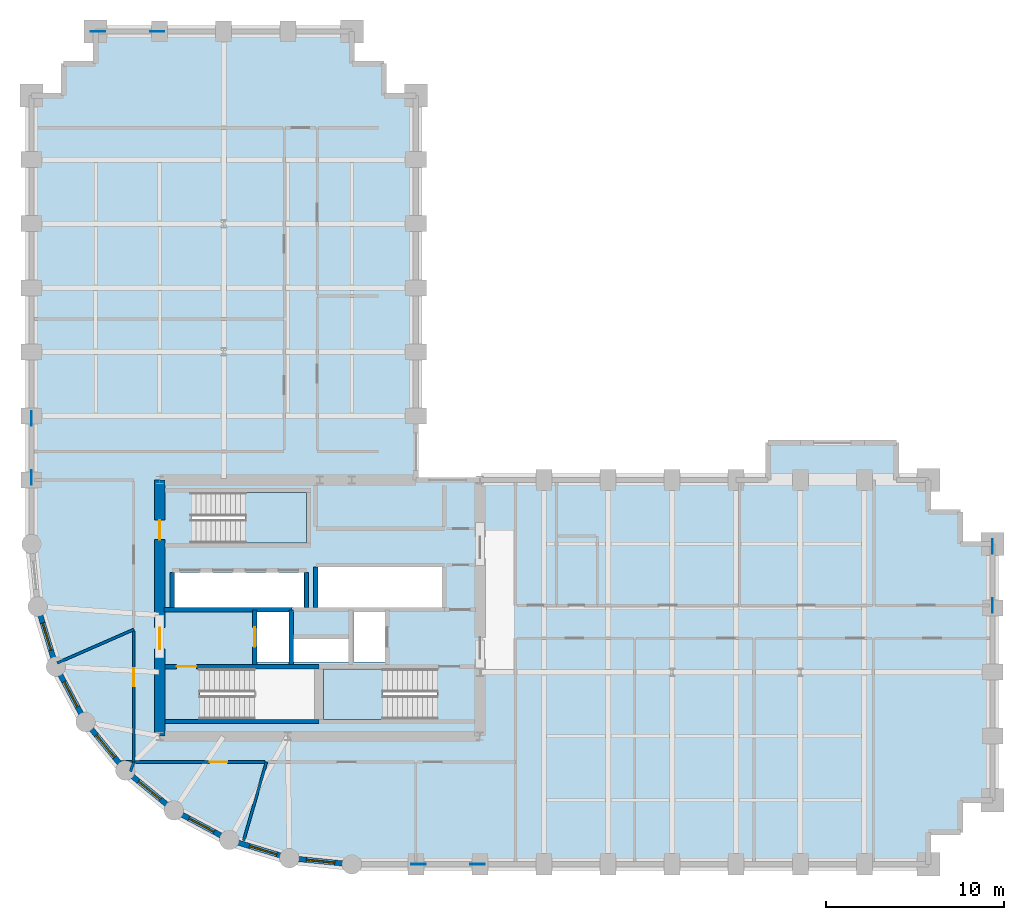
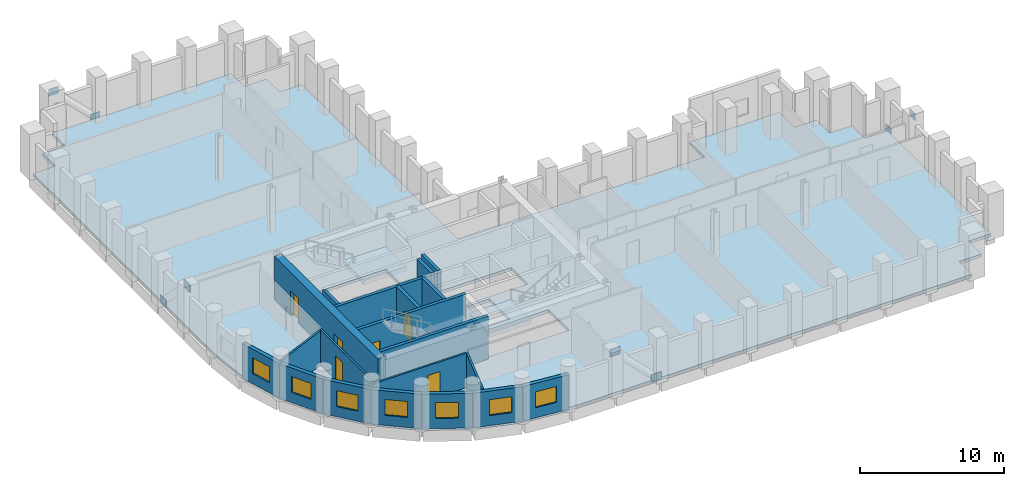
# One storey, part 3 of 8: 21 walls, 8 plates, 7 windows, 6 doors, 3 slabs, 13 openings, 2 elements without a shape of their own.
"""IFC4 building model written with IfcOpenShell, lengths in metres."""

from ifc_helpers import new_model, si_unit, direction, frame, frame_2d, origin, origin_2d, place, context, subcontext, project, spatial, polyline, rectangle, outline, extrude, material, layer, layer_set, type_object, element, fill, aggregate, save


model = new_model("IFC4")

# Units and contexts
model_context = context("Model", 3, precision=1e-05, world=origin(), true_north=direction((0.0, 1.0)))
body_context = subcontext(model_context, "Body", "Model", "MODEL_VIEW")
ifc_project = project(units=[si_unit("LENGTHUNIT", "METRE"), si_unit("AREAUNIT", "SQUARE_METRE"), si_unit("VOLUMEUNIT", "CUBIC_METRE"), si_unit("PLANEANGLEUNIT", "RADIAN"), si_unit("MASSUNIT", "GRAM", prefix="KILO")], contexts=[model_context])

# Site, building, storey
site_placement = place(None, origin())
site = spatial("IfcSite", under=ifc_project, at=site_placement, CompositionType="ELEMENT")
building_placement = place(site_placement, origin())
building = spatial("IfcBuilding", under=site, at=building_placement, Name="Solnavia Interchange Tower", CompositionType="ELEMENT")
storey_placement = place(building_placement, frame((0.0, 0.0, 35.699951171875)))
storey = spatial("IfcBuildingStorey", under=building, at=storey_placement, Name="L08", CompositionType="ELEMENT", Elevation=35.699951171875)

# Plates
ifc_material_1 = material(Name="Steel S460", Category="steel")
ifc_layer_1 = layer(ifc_material_1, 0.035888671875)
ifc_layer_set_1 = layer_set([ifc_layer_1], Name="Steel S460")
plate_type = type_object("IfcPlateType", Name="Plate-Gusset-800x600x36", PredefinedType="USERDEFINED", material=ifc_layer_set_1)
for number, where, z_axis, x_axis, name in (
    (1, (32.260009765625, 3.60009765625, -0.1201171875), (0.0, 0.0, 1.0), (-1.0, 0.0, 0.0), "PLT-L08-GP01 Perimeter brace gusset plate"),
    (2, (28.93994140625, 3.60009765625, 3.169921875), (0.0, 0.0, 1.0), (-1.0, 0.0, 0.0), "PLT-L08-GP02 Perimeter brace gusset plate"),
    (3, (7.199951171875, 28.659912109375, -0.1201171875), (0.0, 0.0, 1.0), (0.0, -1.0, 0.0), "PLT-L08-GP03 Perimeter brace gusset plate"),
    (4, (7.199951171875, 25.340087890625, 3.169921875), (0.0, 0.0, 1.0), (0.0, -1.0, 0.0), "PLT-L08-GP04 Perimeter brace gusset plate"),
    (5, (61.199951171875, 21.4599609375, -0.1201171875), (0.0, 0.0, 1.0), (0.0, -1.0, 0.0), "PLT-L08-GP05 Perimeter brace gusset plate"),
    (6, (61.199951171875, 18.139892578125, 3.169921875), (0.0, 0.0, 1.0), (0.0, -1.0, 0.0), "PLT-L08-GP06 Perimeter brace gusset plate"),
    (7, (14.260009765625, 50.39990234375, -0.1201171875), (0.0, 0.0, 1.0), (-1.0, 0.0, 0.0), "PLT-L08-GP07 Perimeter brace gusset plate"),
    (8, (10.93994140625, 50.39990234375, 3.169921875), (0.0, 0.0, 1.0), (-1.0, 0.0, 0.0), "PLT-L08-GP08 Perimeter brace gusset plate"),
):
    element("IfcPlate", number, at=place(storey_placement, frame(where, z_axis=z_axis, x_axis=x_axis)), inside=storey, type_object=plate_type, Name=name, ObjectType="GUSSET PLATE", PredefinedType="USERDEFINED", context=body_context, shape_type="SweptSolid", body=[
        extrude(rectangle(XDim=0.800048828125, YDim=0.035888671875, at=origin_2d()), origin(), (0.0, 0.0, 1.0), 0.60009765625),
    ])

# Stair, slab
ifc_material_2 = material(Name="Concrete C40/50", Category="concrete")
stair_type = type_object("IfcStairType", Name="Stair-Dogleg-RC", PredefinedType="HALF_TURN_STAIR", material=ifc_material_2)
stair_1_placement = place(storey_placement, origin())
stair_1 = element("IfcStair", 9, at=stair_1_placement, inside=storey, type_object=stair_type, Name="L08 Core exit stair 2", PredefinedType="HALF_TURN_STAIR")
ifc_layer_2 = layer(ifc_material_2, 0.35009765625)
ifc_layer_set_2 = layer_set([ifc_layer_2], Name="Concrete C40/50")
slab_type_1 = type_object("IfcSlabType", Name="Slab-StairLanding-350", PredefinedType="LANDING", material=ifc_layer_set_2)
slab_1_placement = place(storey_placement, frame((0.0, 0.0, 1.60009765625)))
slab_1 = element("IfcSlab", 10, at=slab_1_placement, type_object=slab_type_1, Name="ST-2 landing 1", PredefinedType="LANDING", context=body_context, shape_type="SweptSolid", body=[
    extrude(outline(polyline([(23.60009765625, 11.75), (26.94189453125, 11.75), (26.94189453125, 14.590087890625), (23.60009765625, 14.590087890625), (23.60009765625, 11.75)])), origin(), (0.0, 0.0, 1.0), 0.349853515625),
])
aggregate(stair_1, [slab_1])

stair_2_placement = place(storey_placement, origin())
stair_2 = element("IfcStair", 11, at=stair_2_placement, inside=storey, type_object=stair_type, Name="L08 Core exit stair 3", PredefinedType="HALF_TURN_STAIR")
slab_2_placement = place(storey_placement, frame((0.0, 0.0, 1.60009765625)))
slab_2 = element("IfcSlab", 12, at=slab_2_placement, type_object=slab_type_1, Name="ST-3 landing 1", PredefinedType="LANDING", context=body_context, shape_type="SweptSolid", body=[
    extrude(outline(polyline([(19.2080078125, 21.64990234375), (22.64990234375, 21.64990234375), (22.64990234375, 24.489990234375), (19.2080078125, 24.489990234375), (19.2080078125, 21.64990234375)])), origin(), (0.0, 0.0, 1.0), 0.349853515625),
])
aggregate(stair_2, [slab_2])

# Slab
ifc_layer_3 = layer(ifc_material_2, 0.25)
ifc_layer_set_3 = layer_set([ifc_layer_3], Name="Concrete C40/50")
slab_type_2 = type_object("IfcSlabType", Name="Slab-Tower-250", PredefinedType="FLOOR", material=ifc_layer_set_3)
slab_3_placement = place(storey_placement, frame((0.0, 0.0, -0.25)))
element("IfcSlab", 13, at=slab_3_placement, inside=storey, type_object=slab_type_2, Name="SLB-L08-01 Structural floor slab", PredefinedType="FLOOR", context=body_context, shape_type="SweptSolid", body=[
    extrude(outline(polyline([(25.199951171875, 3.60009765625), (57.60009765625, 3.60009765625), (57.60009765625, 5.39990234375), (59.39990234375, 5.39990234375), (59.39990234375, 7.199951171875), (61.199951171875, 7.199951171875), (61.199951171875, 21.60009765625), (59.39990234375, 21.60009765625), (59.39990234375, 23.39990234375), (57.60009765625, 23.39990234375), (57.60009765625, 25.199951171875), (55.800048828125, 25.199951171875), (55.800048828125, 27.300048828125), (48.60009765625, 27.300048828125), (48.60009765625, 25.199951171875), (28.800048828125, 25.199951171875), (28.800048828125, 46.800048828125), (27.0, 46.800048828125), (27.0, 48.60009765625), (25.199951171875, 48.60009765625), (25.199951171875, 50.39990234375), (10.800048828125, 50.39990234375), (10.800048828125, 48.60009765625), (9.0, 48.60009765625), (9.0, 46.800048828125), (7.199951171875, 46.800048828125), (7.199951171875, 21.60009765625), (7.5458984375, 18.087890625), (8.570068359375, 14.7119140625), (10.23388671875, 11.60009765625), (12.471923828125, 8.8720703125), (15.199951171875, 6.634033203125), (18.31201171875, 4.969970703125), (21.68798828125, 3.946044921875), (25.199951171875, 3.60009765625)]), holes=[polyline([(16.675048828125, 11.75), (23.10009765625, 11.75), (23.10009765625, 14.590087890625), (16.675048828125, 14.590087890625), (16.675048828125, 11.75)]), polyline([(23.60009765625, 11.75), (29.97509765625, 11.75), (29.97509765625, 14.590087890625), (23.60009765625, 14.590087890625), (23.60009765625, 11.75)]), polyline([(16.175048828125, 21.64990234375), (22.64990234375, 21.64990234375), (22.64990234375, 24.489990234375), (16.175048828125, 24.489990234375), (16.175048828125, 21.64990234375)]), polyline([(19.8798828125, 14.9599609375), (21.679931640625, 14.9599609375), (21.679931640625, 17.780029296875), (19.8798828125, 17.780029296875), (19.8798828125, 14.9599609375)]), polyline([(25.280029296875, 14.9599609375), (27.080078125, 14.9599609375), (27.080078125, 17.780029296875), (25.280029296875, 17.780029296875), (25.280029296875, 14.9599609375)]), polyline([(21.919921875, 14.9599609375), (25.02001953125, 14.9599609375), (25.02001953125, 16.280029296875), (21.919921875, 16.280029296875), (21.919921875, 14.9599609375)]), polyline([(15.219970703125, 18.02001953125), (22.52001953125, 18.02001953125), (22.52001953125, 20.0), (15.219970703125, 20.0), (15.219970703125, 18.02001953125)]), polyline([(23.300048828125, 18.02001953125), (30.280029296875, 18.02001953125), (30.280029296875, 20.300048828125), (23.300048828125, 20.300048828125), (23.300048828125, 18.02001953125)])]), origin(), (0.0, 0.0, 1.0), 0.25),
])

# Wall, opening, window
ifc_layer_4 = layer(ifc_material_2, 0.300048828125)
ifc_layer_set_4 = layer_set([ifc_layer_4], Name="Concrete C40/50")
wall_type_1 = type_object("IfcWallType", Name="Wall-ExtSpandrel-300", PredefinedType="STANDARD", material=ifc_layer_set_4)
wall_1_placement = place(storey_placement, frame((8.570068359375, 14.7119140625, 0.0), z_axis=(0.0, 0.0, 1.0), x_axis=(-0.290305086481, 0.956934144423, 0.0)))
wall_1 = element("IfcWall", 14, at=wall_1_placement, inside=storey, type_object=wall_type_1, Name="EXW-L08-60 Exterior precast spandrel wall", PredefinedType="STANDARD", context=body_context, shape_type="SweptSolid", body=[
    extrude(rectangle(XDim=3.52783203125, YDim=0.300048828125, at=frame_2d((1.763916015625, 0.0))), origin(), (0.0, 0.0, 1.0), 2.929931640625),
])
opening_1_placement = place(wall_1_placement, frame((0.964111328125, 0.0, 0.85009765625)))
opening_1 = element("IfcOpeningElement", 15, at=opening_1_placement, cuts=wall_1, Name="Opening WIN-04", PredefinedType="OPENING", context=body_context, shape_type="SweptSolid", body=[
    extrude(rectangle(XDim=1.60009765625, YDim=1.35009765625, at=frame_2d((0.800048828125, 0.675048828125))), frame((0.0, 0.16015625, 0.0), z_axis=(0.0, -1.0, 0.0), x_axis=(1.0, 0.0, 0.0)), (0.0, 0.0, 1.0), 0.320068359375),
])
ifc_material_3 = material(Name="Thermal-Break Aluminium & Low-E Glass", Category="aluminium")
window_type = type_object("IfcWindowType", Name="Window-Drum-1600x1350", PartitioningType="SINGLE_PANEL", PredefinedType="WINDOW", material=ifc_material_3)
window_1_placement = place(opening_1_placement, origin())
window_1 = element("IfcWindow", 16, at=window_1_placement, inside=storey, type_object=window_type, Name="WIN-L08-60 Facade ribbon window", OverallHeight=1.35009765625, OverallWidth=1.60009765625, PartitioningType="SINGLE_PANEL", PredefinedType="WINDOW", context=body_context, shape_type="SweptSolid", body=[
    extrude(rectangle(XDim=1.60009765625, YDim=1.35009765625, at=frame_2d((0.800048828125, 0.675048828125))), frame((0.0, 0.030029296875, 0.0), z_axis=(0.0, -1.0, 0.0), x_axis=(1.0, 0.0, 0.0)), (0.0, 0.0, 1.0), 0.06005859375),
])
fill(opening_1, window_1)

wall_2_placement = place(storey_placement, frame((10.23388671875, 11.60009765625, 0.0), z_axis=(0.0, 0.0, 1.0), x_axis=(-0.47151087309, 0.881860247748, 0.0)))
wall_2 = element("IfcWall", 17, at=wall_2_placement, inside=storey, type_object=wall_type_1, Name="EXW-L08-61 Exterior precast spandrel wall", PredefinedType="STANDARD", context=body_context, shape_type="SweptSolid", body=[
    extrude(rectangle(XDim=3.52880859375, YDim=0.300048828125, at=frame_2d((1.764404296875, 0.0))), origin(), (0.0, 0.0, 1.0), 2.929931640625),
])
opening_2_placement = place(wall_2_placement, frame((0.964111328125, 0.0, 0.85009765625)))
opening_2 = element("IfcOpeningElement", 18, at=opening_2_placement, cuts=wall_2, Name="Opening WIN-04", PredefinedType="OPENING", context=body_context, shape_type="SweptSolid", body=[
    extrude(rectangle(XDim=1.60009765625, YDim=1.35009765625, at=frame_2d((0.800048828125, 0.675048828125))), frame((0.0, 0.16015625, 0.0), z_axis=(0.0, -1.0, 0.0), x_axis=(1.0, 0.0, 0.0)), (0.0, 0.0, 1.0), 0.320068359375),
])
window_2_placement = place(opening_2_placement, origin())
window_2 = element("IfcWindow", 19, at=window_2_placement, inside=storey, type_object=window_type, Name="WIN-L08-61 Facade ribbon window", OverallHeight=1.35009765625, OverallWidth=1.60009765625, PartitioningType="SINGLE_PANEL", PredefinedType="WINDOW", context=body_context, shape_type="SweptSolid", body=[
    extrude(rectangle(XDim=1.60009765625, YDim=1.35009765625, at=frame_2d((0.800048828125, 0.675048828125))), frame((0.0, 0.030029296875, 0.0), z_axis=(0.0, -1.0, 0.0), x_axis=(1.0, 0.0, 0.0)), (0.0, 0.0, 1.0), 0.06005859375),
])
fill(opening_2, window_2)

wall_3_placement = place(storey_placement, frame((12.471923828125, 8.8720703125, 0.0), z_axis=(0.0, 0.0, 1.0), x_axis=(-0.634258295121, 0.773121216285, 0.0)))
wall_3 = element("IfcWall", 20, at=wall_3_placement, inside=storey, type_object=wall_type_1, Name="EXW-L08-62 Exterior precast spandrel wall", PredefinedType="STANDARD", context=body_context, shape_type="SweptSolid", body=[
    extrude(rectangle(XDim=3.528564453125, YDim=0.300048828125, at=frame_2d((1.76416015625, 0.0))), origin(), (0.0, 0.0, 1.0), 2.929931640625),
])
opening_3_placement = place(wall_3_placement, frame((0.964111328125, 0.0, 0.85009765625)))
opening_3 = element("IfcOpeningElement", 21, at=opening_3_placement, cuts=wall_3, Name="Opening WIN-04", PredefinedType="OPENING", context=body_context, shape_type="SweptSolid", body=[
    extrude(rectangle(XDim=1.60009765625, YDim=1.35009765625, at=frame_2d((0.800048828125, 0.675048828125))), frame((0.0, 0.16015625, 0.0), z_axis=(0.0, -1.0, 0.0), x_axis=(1.0, 0.0, 0.0)), (0.0, 0.0, 1.0), 0.320068359375),
])
window_3_placement = place(opening_3_placement, origin())
window_3 = element("IfcWindow", 22, at=window_3_placement, inside=storey, type_object=window_type, Name="WIN-L08-62 Facade ribbon window", OverallHeight=1.35009765625, OverallWidth=1.60009765625, PartitioningType="SINGLE_PANEL", PredefinedType="WINDOW", context=body_context, shape_type="SweptSolid", body=[
    extrude(rectangle(XDim=1.60009765625, YDim=1.35009765625, at=frame_2d((0.800048828125, 0.675048828125))), frame((0.0, 0.030029296875, 0.0), z_axis=(0.0, -1.0, 0.0), x_axis=(1.0, 0.0, 0.0)), (0.0, 0.0, 1.0), 0.06005859375),
])
fill(opening_3, window_3)

wall_4_placement = place(storey_placement, frame((15.199951171875, 6.634033203125, 0.0), z_axis=(0.0, 0.0, 1.0), x_axis=(-0.773121216285, 0.634258295121, 0.0)))
wall_4 = element("IfcWall", 23, at=wall_4_placement, inside=storey, type_object=wall_type_1, Name="EXW-L08-63 Exterior precast spandrel wall", PredefinedType="STANDARD", context=body_context, shape_type="SweptSolid", body=[
    extrude(rectangle(XDim=3.528564453125, YDim=0.300048828125, at=frame_2d((1.76416015625, 0.0))), origin(), (0.0, 0.0, 1.0), 2.929931640625),
])
opening_4_placement = place(wall_4_placement, frame((0.964111328125, 0.0, 0.85009765625)))
opening_4 = element("IfcOpeningElement", 24, at=opening_4_placement, cuts=wall_4, Name="Opening WIN-04", PredefinedType="OPENING", context=body_context, shape_type="SweptSolid", body=[
    extrude(rectangle(XDim=1.60009765625, YDim=1.35009765625, at=frame_2d((0.800048828125, 0.675048828125))), frame((0.0, 0.16015625, 0.0), z_axis=(0.0, -1.0, 0.0), x_axis=(1.0, 0.0, 0.0)), (0.0, 0.0, 1.0), 0.320068359375),
])
window_4_placement = place(opening_4_placement, origin())
window_4 = element("IfcWindow", 25, at=window_4_placement, inside=storey, type_object=window_type, Name="WIN-L08-63 Facade ribbon window", OverallHeight=1.35009765625, OverallWidth=1.60009765625, PartitioningType="SINGLE_PANEL", PredefinedType="WINDOW", context=body_context, shape_type="SweptSolid", body=[
    extrude(rectangle(XDim=1.60009765625, YDim=1.35009765625, at=frame_2d((0.800048828125, 0.675048828125))), frame((0.0, 0.030029296875, 0.0), z_axis=(0.0, -1.0, 0.0), x_axis=(1.0, 0.0, 0.0)), (0.0, 0.0, 1.0), 0.06005859375),
])
fill(opening_4, window_4)

wall_5_placement = place(storey_placement, frame((18.31201171875, 4.969970703125, 0.0), z_axis=(0.0, 0.0, 1.0), x_axis=(-0.881846862014, 0.471535907389, 0.0)))
wall_5 = element("IfcWall", 26, at=wall_5_placement, inside=storey, type_object=wall_type_1, Name="EXW-L08-64 Exterior precast spandrel wall", PredefinedType="STANDARD", context=body_context, shape_type="SweptSolid", body=[
    extrude(rectangle(XDim=3.529052734375, YDim=0.300048828125, at=frame_2d((1.7646484375, 0.0))), origin(), (0.0, 0.0, 1.0), 2.929931640625),
])
opening_5_placement = place(wall_5_placement, frame((0.964111328125, 0.0, 0.85009765625)))
opening_5 = element("IfcOpeningElement", 27, at=opening_5_placement, cuts=wall_5, Name="Opening WIN-04", PredefinedType="OPENING", context=body_context, shape_type="SweptSolid", body=[
    extrude(rectangle(XDim=1.60009765625, YDim=1.35009765625, at=frame_2d((0.800048828125, 0.675048828125))), frame((0.0, 0.16015625, 0.0), z_axis=(0.0, -1.0, 0.0), x_axis=(1.0, 0.0, 0.0)), (0.0, 0.0, 1.0), 0.320068359375),
])
window_5_placement = place(opening_5_placement, origin())
window_5 = element("IfcWindow", 28, at=window_5_placement, inside=storey, type_object=window_type, Name="WIN-L08-64 Facade ribbon window", OverallHeight=1.35009765625, OverallWidth=1.60009765625, PartitioningType="SINGLE_PANEL", PredefinedType="WINDOW", context=body_context, shape_type="SweptSolid", body=[
    extrude(rectangle(XDim=1.60009765625, YDim=1.35009765625, at=frame_2d((0.800048828125, 0.675048828125))), frame((0.0, 0.030029296875, 0.0), z_axis=(0.0, -1.0, 0.0), x_axis=(1.0, 0.0, 0.0)), (0.0, 0.0, 1.0), 0.06005859375),
])
fill(opening_5, window_5)

wall_6_placement = place(storey_placement, frame((21.68798828125, 3.946044921875, 0.0), z_axis=(0.0, 0.0, 1.0), x_axis=(-0.956953367403, 0.290241714123, 0.0)))
wall_6 = element("IfcWall", 29, at=wall_6_placement, inside=storey, type_object=wall_type_1, Name="EXW-L08-65 Exterior precast spandrel wall", PredefinedType="STANDARD", context=body_context, shape_type="SweptSolid", body=[
    extrude(rectangle(XDim=3.52783203125, YDim=0.300048828125, at=frame_2d((1.763916015625, 0.0))), origin(), (0.0, 0.0, 1.0), 2.929931640625),
])
opening_6_placement = place(wall_6_placement, frame((0.743896484375, 0.0, 0.85009765625)))
opening_6 = element("IfcOpeningElement", 30, at=opening_6_placement, cuts=wall_6, Name="Opening WIN-04", PredefinedType="OPENING", context=body_context, shape_type="SweptSolid", body=[
    extrude(rectangle(XDim=1.60009765625, YDim=1.35009765625, at=frame_2d((0.800048828125, 0.675048828125))), frame((0.0, 0.16015625, 0.0), z_axis=(0.0, -1.0, 0.0), x_axis=(1.0, 0.0, 0.0)), (0.0, 0.0, 1.0), 0.320068359375),
])
window_6_placement = place(opening_6_placement, origin())
window_6 = element("IfcWindow", 31, at=window_6_placement, inside=storey, type_object=window_type, Name="WIN-L08-65 Facade ribbon window", OverallHeight=1.35009765625, OverallWidth=1.60009765625, PartitioningType="SINGLE_PANEL", PredefinedType="WINDOW", context=body_context, shape_type="SweptSolid", body=[
    extrude(rectangle(XDim=1.60009765625, YDim=1.35009765625, at=frame_2d((0.800048828125, 0.675048828125))), frame((0.0, 0.030029296875, 0.0), z_axis=(0.0, -1.0, 0.0), x_axis=(1.0, 0.0, 0.0)), (0.0, 0.0, 1.0), 0.06005859375),
])
fill(opening_6, window_6)

wall_7_placement = place(storey_placement, frame((25.199951171875, 3.60009765625, 0.0), z_axis=(0.0, 0.0, 1.0), x_axis=(-0.995183369056, 0.098030923459, 0.0)))
wall_7 = element("IfcWall", 32, at=wall_7_placement, inside=storey, type_object=wall_type_1, Name="EXW-L08-66 Exterior precast spandrel wall", PredefinedType="STANDARD", context=body_context, shape_type="SweptSolid", body=[
    extrude(rectangle(XDim=3.529052734375, YDim=0.300048828125, at=frame_2d((1.7646484375, 0.0))), origin(), (0.0, 0.0, 1.0), 2.929931640625),
])
opening_7_placement = place(wall_7_placement, frame((0.965087890625, 0.0, 0.85009765625)))
opening_7 = element("IfcOpeningElement", 33, at=opening_7_placement, cuts=wall_7, Name="Opening WIN-04", PredefinedType="OPENING", context=body_context, shape_type="SweptSolid", body=[
    extrude(rectangle(XDim=1.60009765625, YDim=1.35009765625, at=frame_2d((0.800048828125, 0.675048828125))), frame((0.0, 0.16015625, 0.0), z_axis=(0.0, -1.0, 0.0), x_axis=(1.0, 0.0, 0.0)), (0.0, 0.0, 1.0), 0.320068359375),
])
window_7_placement = place(opening_7_placement, origin())
window_7 = element("IfcWindow", 34, at=window_7_placement, inside=storey, type_object=window_type, Name="WIN-L08-66 Facade ribbon window", OverallHeight=1.35009765625, OverallWidth=1.60009765625, PartitioningType="SINGLE_PANEL", PredefinedType="WINDOW", context=body_context, shape_type="SweptSolid", body=[
    extrude(rectangle(XDim=1.60009765625, YDim=1.35009765625, at=frame_2d((0.800048828125, 0.675048828125))), frame((0.0, 0.030029296875, 0.0), z_axis=(0.0, -1.0, 0.0), x_axis=(1.0, 0.0, 0.0)), (0.0, 0.0, 1.0), 0.06005859375),
])
fill(opening_7, window_7)

# Walls
ifc_material_4 = material(Name="Gypsum Plasterboard & Steel Stud", Category="steel")
ifc_layer_5 = layer(ifc_material_4, 0.14990234375)
ifc_layer_set_5 = layer_set([ifc_layer_5], Name="Gypsum Plasterboard & Steel Stud")
wall_type_2 = type_object("IfcWallType", Name="Wall-Partition-150", PredefinedType="PARTITIONING", material=ifc_layer_set_5)
wall_8_placement = place(storey_placement, frame((12.949951171875, 16.800048828125, 0.0), z_axis=(0.0, 0.0, 1.0), x_axis=(-0.916088262031, -0.400976677837, 0.0)))
element("IfcWall", 35, at=wall_8_placement, inside=storey, type_object=wall_type_2, Name="PTW-L08-09 Interior partition wall", PredefinedType="PARTITIONING", context=body_context, shape_type="SweptSolid", body=[
    extrude(rectangle(XDim=4.705810546875, YDim=0.14990234375, at=frame_2d((2.35302734375, 0.0))), origin(), (0.0, 0.0, 1.0), 2.929931640625),
])
wall_9_placement = place(storey_placement, frame((12.949951171875, 9.35009765625, 0.0), z_axis=(0.0, 0.0, 1.0), x_axis=(-0.341918365566, -0.939729658619, 0.0)))
element("IfcWall", 36, at=wall_9_placement, inside=storey, type_object=wall_type_2, Name="PTW-L08-10 Interior partition wall", PredefinedType="PARTITIONING", context=body_context, shape_type="SweptSolid", body=[
    extrude(rectangle(XDim=0.55908203125, YDim=0.14990234375, at=frame_2d((0.279541015625, 0.0))), origin(), (0.0, 0.0, 1.0), 2.929931640625),
])
wall_10_placement = place(storey_placement, frame((20.39990234375, 9.35009765625, 0.0), z_axis=(0.0, 0.0, 1.0), x_axis=(-0.279120135734, -0.960256189685, 0.0)))
element("IfcWall", 37, at=wall_10_placement, inside=storey, type_object=wall_type_2, Name="PTW-L08-11 Interior partition wall", PredefinedType="PARTITIONING", context=body_context, shape_type="SweptSolid", body=[
    extrude(rectangle(XDim=4.593017578125, YDim=0.14990234375, at=frame_2d((2.29638671875, 0.0))), origin(), (0.0, 0.0, 1.0), 2.929931640625),
])

# Wall, opening, door
wall_11_placement = place(storey_placement, frame((12.949951171875, 9.35009765625, 0.0), z_axis=(0.0, 0.0, 1.0), x_axis=(0.0, 1.0, 0.0)))
wall_11 = element("IfcWall", 38, at=wall_11_placement, inside=storey, type_object=wall_type_2, Name="PTW-L08-13 Interior partition wall", PredefinedType="PARTITIONING", context=body_context, shape_type="SweptSolid", body=[
    extrude(rectangle(XDim=7.370849609375, YDim=0.14990234375, at=frame_2d((3.685546875, 0.0))), origin(), (0.0, 0.0, 1.0), 3.0400390625),
])
opening_8_placement = place(wall_11_placement, frame((4.260986328125, 0.0, 0.0)))
opening_8 = element("IfcOpeningElement", 39, at=opening_8_placement, cuts=wall_11, Name="Opening DR-07", PredefinedType="OPENING", context=body_context, shape_type="SweptSolid", body=[
    extrude(rectangle(XDim=1.0, YDim=2.10009765625, at=frame_2d((0.5, 1.050048828125))), frame((0.0, 0.0849609375, 0.0), z_axis=(0.0, -1.0, 0.0), x_axis=(1.0, 0.0, 0.0)), (0.0, 0.0, 1.0), 0.169921875),
])
ifc_material_5 = material(Name="Timber & Acoustic Glazed Office Door", Category="wood")
door_type_1 = type_object("IfcDoorType", Name="Door-Office-1000x2100", OperationType="SINGLE_SWING_RIGHT", PredefinedType="DOOR", material=ifc_material_5)
door_1_placement = place(opening_8_placement, origin())
door_1 = element("IfcDoor", 40, at=door_1_placement, inside=storey, type_object=door_type_1, Name="DR-L08-04 Interior room door", OperationType="SINGLE_SWING_RIGHT", OverallHeight=2.10009765625, OverallWidth=1.0, PredefinedType="DOOR", context=body_context, shape_type="SweptSolid", body=[
    extrude(rectangle(XDim=1.0, YDim=2.10009765625, at=frame_2d((0.5, 1.050048828125))), frame((0.0, 0.02490234375, 0.0), z_axis=(0.0, -1.0, 0.0), x_axis=(1.0, 0.0, 0.0)), (0.0, 0.0, 1.0), 0.050048828125),
])
fill(opening_8, door_1)

wall_12_placement = place(storey_placement, frame((12.23388671875, 9.35009765625, 0.0), z_axis=(0.0, 0.0, 1.0), x_axis=(1.0, 0.0, 0.0)))
wall_12 = element("IfcWall", 41, at=wall_12_placement, inside=storey, type_object=wall_type_2, Name="PTW-L08-14 Interior partition wall", PredefinedType="PARTITIONING", context=body_context, shape_type="SweptSolid", body=[
    extrude(rectangle(XDim=8.087158203125, YDim=0.14990234375, at=frame_2d((4.04345703125, 0.0))), origin(), (0.0, 0.0, 1.0), 2.929931640625),
])
opening_9_placement = place(wall_12_placement, frame((4.97705078125, 0.0, 0.0)))
opening_9 = element("IfcOpeningElement", 42, at=opening_9_placement, cuts=wall_12, Name="Opening DR-07", PredefinedType="OPENING", context=body_context, shape_type="SweptSolid", body=[
    extrude(rectangle(XDim=1.0, YDim=2.10009765625, at=frame_2d((0.5, 1.050048828125))), frame((0.0, 0.0849609375, 0.0), z_axis=(0.0, -1.0, 0.0), x_axis=(1.0, 0.0, 0.0)), (0.0, 0.0, 1.0), 0.169921875),
])
door_2_placement = place(opening_9_placement, origin())
door_2 = element("IfcDoor", 43, at=door_2_placement, inside=storey, type_object=door_type_1, Name="DR-L08-05 Interior room door", OperationType="SINGLE_SWING_LEFT", OverallHeight=2.10009765625, OverallWidth=1.0, PredefinedType="DOOR", context=body_context, shape_type="SweptSolid", body=[
    extrude(rectangle(XDim=1.0, YDim=2.10009765625, at=frame_2d((0.5, 1.050048828125))), frame((0.0, 0.02490234375, 0.0), z_axis=(0.0, -1.0, 0.0), x_axis=(1.0, 0.0, 0.0)), (0.0, 0.0, 1.0), 0.050048828125),
])
fill(opening_9, door_2)

# Wall
ifc_layer_6 = layer(ifc_material_2, 0.25)
ifc_layer_set_6 = layer_set([ifc_layer_6], Name="Concrete C40/50")
wall_type_3 = type_object("IfcWallType", Name="Wall-ShaftCore-250", PredefinedType="SHEAR", material=ifc_layer_set_6)
wall_13_placement = place(storey_placement, frame((14.699951171875, 11.625, 0.0), z_axis=(0.0, 0.0, 1.0), x_axis=(1.0, 0.0, 0.0)))
element("IfcWall", 44, at=wall_13_placement, inside=storey, type_object=wall_type_3, Name="SHW-L08-ST1S Core shear wall", PredefinedType="SHEAR", context=body_context, shape_type="SweptSolid", body=[
    extrude(rectangle(XDim=8.650146484375, YDim=0.25, at=frame_2d((4.3251953125, 0.0))), origin(), (0.0, 0.0, 1.0), 3.650146484375),
])

# Wall, opening, door
wall_14_placement = place(storey_placement, frame((14.699951171875, 14.715087890625, 0.0), z_axis=(0.0, 0.0, 1.0), x_axis=(1.0, 0.0, 0.0)))
wall_14 = element("IfcWall", 45, at=wall_14_placement, inside=storey, type_object=wall_type_3, Name="SHW-L08-ST1N Core shear wall", PredefinedType="SHEAR", context=body_context, shape_type="SweptSolid", body=[
    extrude(rectangle(XDim=8.650146484375, YDim=0.25, at=frame_2d((4.3251953125, 0.0))), origin(), (0.0, 0.0, 1.0), 3.650146484375),
])
opening_10_placement = place(wall_14_placement, frame((0.655029296875, 0.0, 0.0)))
opening_10 = element("IfcOpeningElement", 46, at=opening_10_placement, cuts=wall_14, Name="Opening DR-01", PredefinedType="OPENING", context=body_context, shape_type="SweptSolid", body=[
    extrude(rectangle(XDim=1.10009765625, YDim=2.10009765625, at=frame_2d((0.550048828125, 1.050048828125))), frame((0.0, 0.135009765625, 0.0), z_axis=(0.0, -1.0, 0.0), x_axis=(1.0, 0.0, 0.0)), (0.0, 0.0, 1.0), 0.27001953125),
])
ifc_material_6 = material(Name="Steel Fire-Rated Leaf & Frame", Category="steel")
door_type_2 = type_object("IfcDoorType", Name="Door-StairFire-1100x2100", OperationType="SINGLE_SWING_LEFT", PredefinedType="DOOR", material=ifc_material_6)
door_3_placement = place(opening_10_placement, origin())
door_3 = element("IfcDoor", 47, at=door_3_placement, inside=storey, type_object=door_type_2, Name="DR-L08-ST1 Core fire door", OperationType="SINGLE_SWING_LEFT", OverallHeight=2.10009765625, OverallWidth=1.10009765625, PredefinedType="DOOR", context=body_context, shape_type="SweptSolid", body=[
    extrude(rectangle(XDim=1.10009765625, YDim=2.10009765625, at=frame_2d((0.550048828125, 1.050048828125))), frame((0.0, 0.02490234375, 0.0), z_axis=(0.0, -1.0, 0.0), x_axis=(1.0, 0.0, 0.0)), (0.0, 0.0, 1.0), 0.050048828125),
])
fill(opening_10, door_3)

# Wall
ifc_layer_7 = layer(ifc_material_2, 0.25)
ifc_layer_set_7 = layer_set([ifc_layer_7], Name="Concrete C40/50")
wall_type_4 = type_object("IfcWallType", Name="Wall-ShaftPart-250", PredefinedType="PARTITIONING", material=ifc_layer_set_7)
wall_15_placement = place(storey_placement, frame((14.64990234375, 17.89990234375, 0.0), z_axis=(0.0, 0.0, 1.0), x_axis=(1.0, 0.0, 0.0)))
element("IfcWall", 48, at=wall_15_placement, inside=storey, type_object=wall_type_4, Name="SHW-L08-FFLW-N Core shaft wall", PredefinedType="PARTITIONING", context=body_context, shape_type="SweptSolid", body=[
    extrude(rectangle(XDim=7.150146484375, YDim=0.25, at=frame_2d((3.5751953125, 0.0))), origin(), (0.0, 0.0, 1.0), 3.635009765625),
])

# Wall, opening, door
wall_16_placement = place(storey_placement, frame((19.75, 14.840087890625, 0.0), z_axis=(0.0, 0.0, 1.0), x_axis=(0.0, 1.0, 0.0)))
wall_16 = element("IfcWall", 49, at=wall_16_placement, inside=storey, type_object=wall_type_4, Name="SHW-L08-FFL1-W Core shaft wall", PredefinedType="PARTITIONING", context=body_context, shape_type="SweptSolid", body=[
    extrude(rectangle(XDim=3.059814453125, YDim=0.25, at=frame_2d((1.52978515625, 0.0))), origin(), (0.0, 0.0, 1.0), 3.635009765625),
])
opening_11_placement = place(wall_16_placement, frame((0.97998046875, 0.0, 0.0)))
opening_11 = element("IfcOpeningElement", 50, at=opening_11_placement, cuts=wall_16, Name="Opening LD-01", PredefinedType="OPENING", context=body_context, shape_type="SweptSolid", body=[
    extrude(rectangle(XDim=1.10009765625, YDim=2.10009765625, at=frame_2d((0.550048828125, 1.050048828125))), frame((0.0, 0.135009765625, 0.0), z_axis=(0.0, -1.0, 0.0), x_axis=(1.0, 0.0, 0.0)), (0.0, 0.0, 1.0), 0.27001953125),
])
ifc_material_7 = material(Name="Brushed Stainless Steel Sliding Door", Category="steel")
door_type_3 = type_object("IfcDoorType", Name="Door-LiftLanding-1100x2100", OperationType="SLIDING_TO_LEFT", PredefinedType="DOOR", material=ifc_material_7)
door_4_placement = place(opening_11_placement, origin())
door_4 = element("IfcDoor", 51, at=door_4_placement, inside=storey, type_object=door_type_3, Name="LD-L08-FFL1 Lift landing sliding door", OperationType="SLIDING_TO_LEFT", OverallHeight=2.10009765625, OverallWidth=1.10009765625, PredefinedType="DOOR", context=body_context, shape_type="SweptSolid", body=[
    extrude(rectangle(XDim=1.10009765625, YDim=2.10009765625, at=frame_2d((0.550048828125, 1.050048828125))), frame((0.0, 0.02490234375, 0.0), z_axis=(0.0, -1.0, 0.0), x_axis=(1.0, 0.0, 0.0)), (0.0, 0.0, 1.0), 0.050048828125),
])
fill(opening_11, door_4)

# Walls
wall_17_placement = place(storey_placement, frame((21.800048828125, 14.840087890625, 0.0), z_axis=(0.0, 0.0, 1.0), x_axis=(0.0, 1.0, 0.0)))
element("IfcWall", 52, at=wall_17_placement, inside=storey, type_object=wall_type_4, Name="SHW-L08-FFL1-E Core shaft wall", PredefinedType="PARTITIONING", context=body_context, shape_type="SweptSolid", body=[
    extrude(rectangle(XDim=3.059814453125, YDim=0.25, at=frame_2d((1.52978515625, 0.0))), origin(), (0.0, 0.0, 1.0), 3.635009765625),
])
for number, where, z_axis, x_axis, name in (
    (53, (15.10009765625, 18.02490234375, 0.0), (0.0, 0.0, 1.0), (0.0, 1.0, 0.0), "SHW-L08-B1W Core shaft wall"),
    (54, (22.64990234375, 18.02490234375, 0.0), (0.0, 0.0, 1.0), (0.0, 1.0, 0.0), "SHW-L08-B1E Core shaft wall"),
):
    element("IfcWall", number, at=place(storey_placement, frame(where, z_axis=z_axis, x_axis=x_axis)), inside=storey, type_object=wall_type_4, Name=name, PredefinedType="PARTITIONING", context=body_context, shape_type="SweptSolid", body=[
        extrude(rectangle(XDim=1.97509765625, YDim=0.25, at=frame_2d((0.987548828125, 0.0))), origin(), (0.0, 0.0, 1.0), 3.635009765625),
    ])
wall_18_placement = place(storey_placement, frame((23.179931640625, 18.02490234375, 0.0), z_axis=(0.0, 0.0, 1.0), x_axis=(0.0, 1.0, 0.0)))
element("IfcWall", 55, at=wall_18_placement, inside=storey, type_object=wall_type_4, Name="SHW-L08-B2W Core shaft wall", PredefinedType="PARTITIONING", context=body_context, shape_type="SweptSolid", body=[
    extrude(rectangle(XDim=2.27001953125, YDim=0.25, at=frame_2d((1.135009765625, 0.0))), origin(), (0.0, 0.0, 1.0), 3.635009765625),
])

# Wall, openings, doors
ifc_material_8 = material(Name="Concrete C60/75", Category="concrete")
ifc_layer_8 = layer(ifc_material_8, 0.60009765625)
ifc_layer_set_8 = layer_set([ifc_layer_8], Name="Concrete C60/75")
wall_type_5 = type_object("IfcWallType", Name="Wall-ShearCore-600", PredefinedType="SHEAR", material=ifc_layer_set_8)
wall_19_placement = place(storey_placement, frame((14.39990234375, 10.800048828125, 0.0), z_axis=(0.0, 0.0, 1.0), x_axis=(0.0, 1.0, 0.0)))
wall_19 = element("IfcWall", 56, at=wall_19_placement, inside=storey, type_object=wall_type_5, Name="CRW-L08-W Core shear wall", PredefinedType="SHEAR", context=body_context, shape_type="SweptSolid", body=[
    extrude(rectangle(XDim=14.39990234375, YDim=0.60009765625, at=frame_2d((7.199951171875, 0.0))), origin(), (0.0, 0.0, 1.0), 3.650146484375),
])
opening_12_placement = place(wall_19_placement, frame((11.050048828125, 0.0, 0.0)))
opening_12 = element("IfcOpeningElement", 57, at=opening_12_placement, cuts=wall_19, Name="Opening DR-01", PredefinedType="OPENING", context=body_context, shape_type="SweptSolid", body=[
    extrude(rectangle(XDim=1.10009765625, YDim=2.10009765625, at=frame_2d((0.550048828125, 1.050048828125))), frame((0.0, 0.31005859375, 0.0), z_axis=(0.0, -1.0, 0.0), x_axis=(1.0, 0.0, 0.0)), (0.0, 0.0, 1.0), 0.6201171875),
])
opening_13_placement = place(wall_19_placement, frame((4.89990234375, 0.0, 0.0)))
opening_13 = element("IfcOpeningElement", 58, at=opening_13_placement, cuts=wall_19, Name="Opening DR-02", PredefinedType="OPENING", context=body_context, shape_type="SweptSolid", body=[
    extrude(rectangle(XDim=1.199951171875, YDim=2.10009765625, at=frame_2d((0.60009765625, 1.050048828125))), frame((0.0, 0.31005859375, 0.0), z_axis=(0.0, -1.0, 0.0), x_axis=(1.0, 0.0, 0.0)), (0.0, 0.0, 1.0), 0.6201171875),
])
ifc_material_9 = material(Name="Steel Fire-Rated Vision-Panel Door", Category="steel")
door_type_4 = type_object("IfcDoorType", Name="Door-LobbyFire-1200x2100", OperationType="SINGLE_SWING_RIGHT", PredefinedType="DOOR", material=ifc_material_9)
door_5_placement = place(opening_13_placement, origin())
door_5 = element("IfcDoor", 59, at=door_5_placement, inside=storey, type_object=door_type_4, Name="DR-L08-FFL1W Core fire door", OperationType="SINGLE_SWING_RIGHT", OverallHeight=2.10009765625, OverallWidth=1.199951171875, PredefinedType="DOOR", context=body_context, shape_type="SweptSolid", body=[
    extrude(rectangle(XDim=1.199951171875, YDim=2.10009765625, at=frame_2d((0.60009765625, 1.050048828125))), frame((0.0, 0.02490234375, 0.0), z_axis=(0.0, -1.0, 0.0), x_axis=(1.0, 0.0, 0.0)), (0.0, 0.0, 1.0), 0.050048828125),
])
fill(opening_13, door_5)
door_6_placement = place(opening_12_placement, origin())
door_6 = element("IfcDoor", 60, at=door_6_placement, inside=storey, type_object=door_type_2, Name="DR-L08-ST3 Core fire door", OperationType="SINGLE_SWING_RIGHT", OverallHeight=2.10009765625, OverallWidth=1.10009765625, PredefinedType="DOOR", context=body_context, shape_type="SweptSolid", body=[
    extrude(rectangle(XDim=1.10009765625, YDim=2.10009765625, at=frame_2d((0.550048828125, 1.050048828125))), frame((0.0, 0.02490234375, 0.0), z_axis=(0.0, -1.0, 0.0), x_axis=(1.0, 0.0, 0.0)), (0.0, 0.0, 1.0), 0.050048828125),
])
fill(opening_12, door_6)

save(model, "model.ifc")
